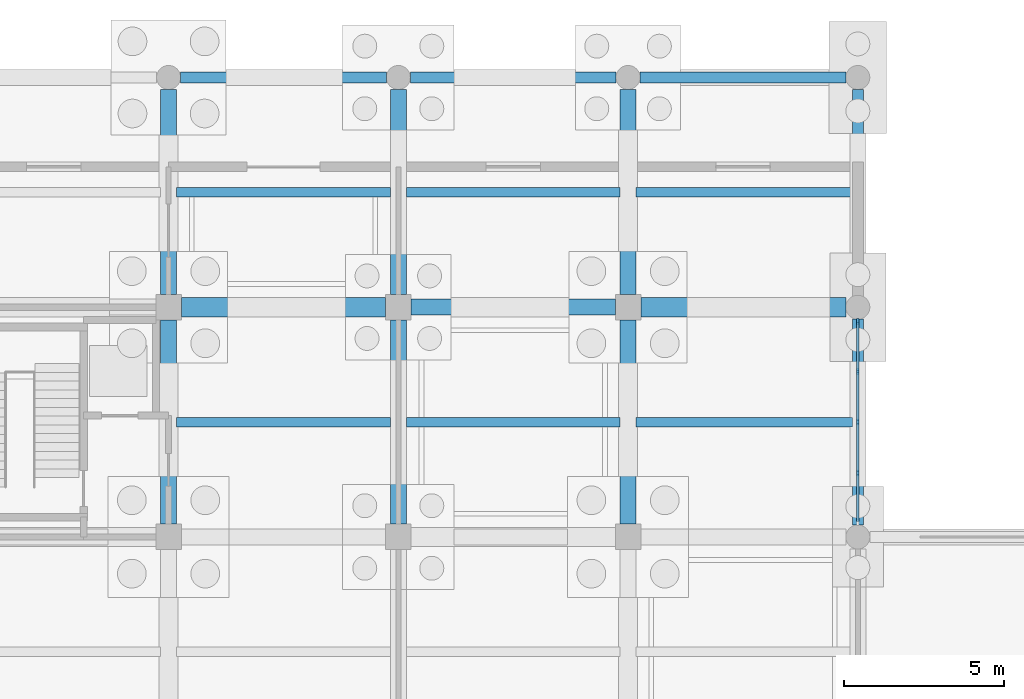
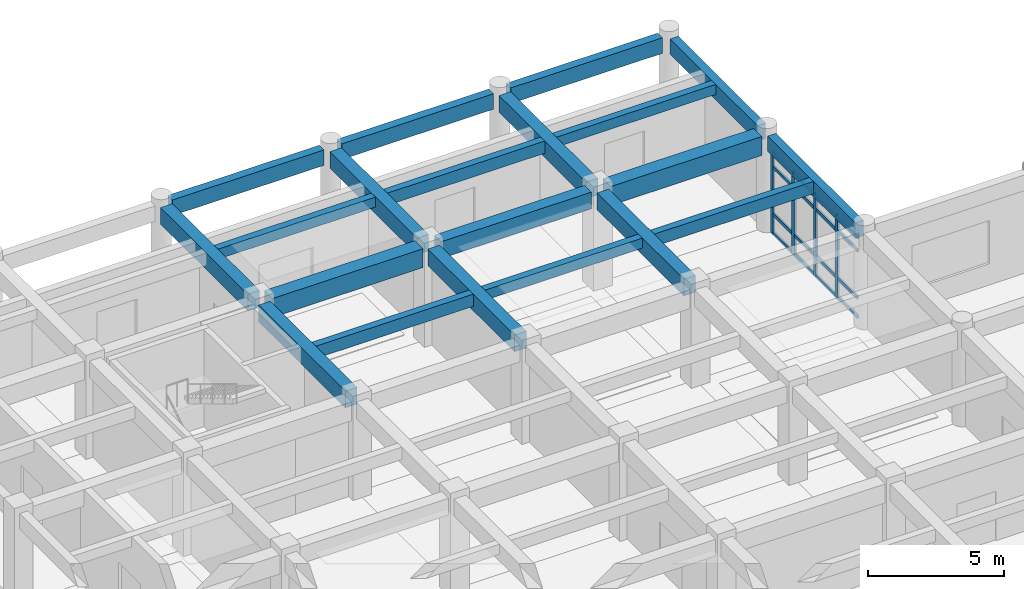
# One storey, part 40 of 79: 20 beams, 20 members, 1 element without a shape of its own.
"""IFC4 building model written with IfcOpenShell, lengths in metres."""

from ifc_helpers import new_model, si_unit, direction, frame, origin, origin_2d, place, context, subcontext, project, spatial, rectangle, extrude, material, layer, layer_set, material_profile, profile_set, type_object, element, aggregate, save


model = new_model("IFC4")

# Units and contexts
model_context = context("Model", 3, precision=1e-05, world=origin(), true_north=direction((0.0, 1.0)))
body_context = subcontext(model_context, "Body", "Model", "MODEL_VIEW")
ifc_project = project(units=[si_unit("LENGTHUNIT", "METRE"), si_unit("AREAUNIT", "SQUARE_METRE"), si_unit("VOLUMEUNIT", "CUBIC_METRE"), si_unit("PLANEANGLEUNIT", "RADIAN"), si_unit("MASSUNIT", "GRAM", prefix="KILO")], contexts=[model_context])

# Site, building, storey
site_placement = place(None, origin())
site = spatial("IfcSite", under=ifc_project, at=site_placement, CompositionType="ELEMENT")
building_placement = place(site_placement, origin())
building = spatial("IfcBuilding", under=site, at=building_placement, Name="Kavelor Marine Aquarium", CompositionType="ELEMENT")
storey_placement = place(building_placement, origin())
storey = spatial("IfcBuildingStorey", under=building, at=storey_placement, Name="L00", CompositionType="ELEMENT", Elevation=0.0)

# Beams
ifc_material_1 = material(Name="Concrete C40/50", Category="concrete")
ifc_material_profile_1 = material_profile(ifc_material_1, rectangle(XDim=0.60009765625, YDim=0.85009765625, at=origin_2d()), Name="RC-BM 600x850")
ifc_profile_set_1 = profile_set([ifc_material_profile_1], Name="Concrete C40/50")
beam_type_1 = type_object("IfcBeamType", Name="BM-B1", PredefinedType="BEAM", material=ifc_profile_set_1)
beam_1_placement = place(storey_placement, frame((133.199951171875, 103.60009765625, 3.955078125), z_axis=(1.0, 0.0, 0.0), x_axis=(0.0, 1.0, 0.0)))
element("IfcBeam", 1, at=beam_1_placement, inside=storey, type_object=beam_type_1, Name="bm:x:L00:L01:18_14", PredefinedType="BEAM", context=body_context, shape_type="SweptSolid", body=[
    extrude(rectangle(XDim=0.60009765625, YDim=0.85009765625, at=origin_2d()), origin(), (0.0, 0.0, 1.0), 6.400146484375),
])
beam_2_placement = place(storey_placement, frame((147.60009765625, 103.60009765625, 3.955078125), z_axis=(1.0, 0.0, 0.0), x_axis=(0.0, 1.0, 0.0)))
element("IfcBeam", 2, at=beam_2_placement, inside=storey, type_object=beam_type_1, Name="bm:x:L00:L01:20_14", PredefinedType="BEAM", context=body_context, shape_type="SweptSolid", body=[
    extrude(rectangle(XDim=0.60009765625, YDim=0.85009765625, at=origin_2d()), origin(), (0.0, 0.0, 1.0), 6.4248046875),
])
ifc_material_2 = material(Name="Concrete C40/50", Category="concrete")
ifc_material_profile_2 = material_profile(ifc_material_2, rectangle(XDim=0.5, YDim=0.75, at=origin_2d()), Name="RC-BM 500x750")
ifc_profile_set_2 = profile_set([ifc_material_profile_2], Name="Concrete C40/50")
beam_type_2 = type_object("IfcBeamType", Name="BM-B2", PredefinedType="BEAM", material=ifc_profile_set_2)
beam_3_placement = place(storey_placement, frame((140.39990234375, 103.60009765625, 4.0048828125), z_axis=(1.0, 0.0, 0.0), x_axis=(0.0, 1.0, 0.0)))
element("IfcBeam", 3, at=beam_3_placement, inside=storey, type_object=beam_type_2, Name="bm:x:L00:L01:19_14", PredefinedType="BEAM", context=body_context, shape_type="SweptSolid", body=[
    extrude(rectangle(XDim=0.5, YDim=0.75, at=origin_2d()), origin(), (0.0, 0.0, 1.0), 6.400146484375),
])
beam_4_placement = place(storey_placement, frame((132.800048828125, 96.800048828125, 4.0048828125), z_axis=(0.0, 1.0, 0.0), x_axis=(-1.0, 0.0, 0.0)))
element("IfcBeam", 4, at=beam_4_placement, inside=storey, type_object=beam_type_2, Name="bm:y:L00:L01:18_13", PredefinedType="BEAM", context=body_context, shape_type="SweptSolid", body=[
    extrude(rectangle(XDim=0.5, YDim=0.75, at=origin_2d()), origin(), (0.0, 0.0, 1.0), 6.39990234375),
])
beam_5_placement = place(storey_placement, frame((132.800048828125, 104.0, 4.0048828125), z_axis=(0.0, 1.0, 0.0), x_axis=(-1.0, 0.0, 0.0)))
element("IfcBeam", 5, at=beam_5_placement, inside=storey, type_object=beam_type_2, Name="bm:y:L00:L01:18_14", PredefinedType="BEAM", context=body_context, shape_type="SweptSolid", body=[
    extrude(rectangle(XDim=0.5, YDim=0.75, at=origin_2d()), origin(), (0.0, 0.0, 1.0), 6.425048828125),
])
beam_6_placement = place(storey_placement, frame((140.0, 96.800048828125, 4.0048828125), z_axis=(0.0, 1.0, 0.0), x_axis=(-1.0, 0.0, 0.0)))
element("IfcBeam", 6, at=beam_6_placement, inside=storey, type_object=beam_type_2, Name="bm:y:L00:L01:19_13", PredefinedType="BEAM", context=body_context, shape_type="SweptSolid", body=[
    extrude(rectangle(XDim=0.5, YDim=0.75, at=origin_2d()), origin(), (0.0, 0.0, 1.0), 6.39990234375),
])
beam_7_placement = place(storey_placement, frame((140.0, 104.0, 4.0048828125), z_axis=(0.0, 1.0, 0.0), x_axis=(-1.0, 0.0, 0.0)))
element("IfcBeam", 7, at=beam_7_placement, inside=storey, type_object=beam_type_2, Name="bm:y:L00:L01:19_14", PredefinedType="BEAM", context=body_context, shape_type="SweptSolid", body=[
    extrude(rectangle(XDim=0.5, YDim=0.75, at=origin_2d()), origin(), (0.0, 0.0, 1.0), 6.425048828125),
])
beam_8_placement = place(storey_placement, frame((147.199951171875, 96.800048828125, 4.0048828125), z_axis=(0.0, 1.0, 0.0), x_axis=(-1.0, 0.0, 0.0)))
element("IfcBeam", 8, at=beam_8_placement, inside=storey, type_object=beam_type_2, Name="bm:y:L00:L01:20_13", PredefinedType="BEAM", context=body_context, shape_type="SweptSolid", body=[
    extrude(rectangle(XDim=0.5, YDim=0.75, at=origin_2d()), origin(), (0.0, 0.0, 1.0), 6.39990234375),
])
beam_9_placement = place(storey_placement, frame((147.199951171875, 104.0, 4.0048828125), z_axis=(0.0, 1.0, 0.0), x_axis=(-1.0, 0.0, 0.0)))
element("IfcBeam", 9, at=beam_9_placement, inside=storey, type_object=beam_type_2, Name="bm:y:L00:L01:20_14", PredefinedType="BEAM", context=body_context, shape_type="SweptSolid", body=[
    extrude(rectangle(XDim=0.5, YDim=0.75, at=origin_2d()), origin(), (0.0, 0.0, 1.0), 6.425048828125),
])
ifc_material_3 = material(Name="Concrete C40/50", Category="concrete")
ifc_material_profile_3 = material_profile(ifc_material_3, rectangle(XDim=0.300048828125, YDim=0.449951171875, at=origin_2d()), Name="RC-JS 300x450")
ifc_profile_set_3 = profile_set([ifc_material_profile_3], Name="Concrete C40/50")
beam_type_3 = type_object("IfcBeamType", Name="BM-JS1", PredefinedType="JOIST", material=ifc_profile_set_3)
for number, where, z_axis, x_axis, name in (
    (10, (133.050048828125, 107.199951171875, 4.155029296875), (1.0, 0.0, 0.0), (0.0, 1.0, 0.0), "js:L00:L01:18_14"),
    (11, (140.25, 100.0, 4.155029296875), (1.0, 0.0, 0.0), (0.0, 1.0, 0.0), "js:L00:L01:19_13"),
):
    element("IfcBeam", number, at=place(storey_placement, frame(where, z_axis=z_axis, x_axis=x_axis)), inside=storey, type_object=beam_type_3, Name=name, PredefinedType="JOIST", context=body_context, shape_type="SweptSolid", body=[
        extrude(rectangle(XDim=0.300048828125, YDim=0.449951171875, at=origin_2d()), origin(), (0.0, 0.0, 1.0), 6.699951171875),
    ])
beam_10_placement = place(storey_placement, frame((147.449951171875, 107.199951171875, 4.155029296875), z_axis=(1.0, 0.0, 0.0), x_axis=(0.0, 1.0, 0.0)))
element("IfcBeam", 12, at=beam_10_placement, inside=storey, type_object=beam_type_3, Name="js:L00:L01:20_14", PredefinedType="JOIST", context=body_context, shape_type="SweptSolid", body=[
    extrude(rectangle(XDim=0.300048828125, YDim=0.449951171875, at=origin_2d()), origin(), (0.0, 0.0, 1.0), 6.775146484375),
])
ifc_material_4 = material(Name="Concrete C40/50", Category="concrete")
ifc_material_profile_4 = material_profile(ifc_material_4, rectangle(XDim=0.300048828125, YDim=0.550048828125, at=origin_2d()), Name="RC-JS 300x550")
ifc_profile_set_4 = profile_set([ifc_material_profile_4], Name="Concrete C40/50")
beam_type_4 = type_object("IfcBeamType", Name="BM-JS2", PredefinedType="JOIST", material=ifc_profile_set_4)
for number, where, z_axis, x_axis, name in (
    (13, (133.050048828125, 100.0, 4.10498046875), (1.0, 0.0, 0.0), (0.0, 1.0, 0.0), "js:L00:L01:18_13"),
    (14, (140.25, 107.199951171875, 4.10498046875), (1.0, 0.0, 0.0), (0.0, 1.0, 0.0), "js:L00:L01:19_14"),
):
    element("IfcBeam", number, at=place(storey_placement, frame(where, z_axis=z_axis, x_axis=x_axis)), inside=storey, type_object=beam_type_4, Name=name, PredefinedType="JOIST", context=body_context, shape_type="SweptSolid", body=[
        extrude(rectangle(XDim=0.300048828125, YDim=0.550048828125, at=origin_2d()), origin(), (0.0, 0.0, 1.0), 6.699951171875),
    ])
beam_11_placement = place(storey_placement, frame((147.449951171875, 100.0, 4.10498046875), z_axis=(1.0, 0.0, 0.0), x_axis=(0.0, 1.0, 0.0)))
element("IfcBeam", 15, at=beam_11_placement, inside=storey, type_object=beam_type_4, Name="js:L00:L01:20_13", PredefinedType="JOIST", context=body_context, shape_type="SweptSolid", body=[
    extrude(rectangle(XDim=0.300048828125, YDim=0.550048828125, at=origin_2d()), origin(), (0.0, 0.0, 1.0), 6.775146484375),
])
ifc_material_5 = material(Name="Concrete C40/50", Category="concrete")
ifc_material_profile_5 = material_profile(ifc_material_5, rectangle(XDim=0.35009765625, YDim=0.699951171875, at=origin_2d()), Name="RC-SP 350x700")
ifc_profile_set_5 = profile_set([ifc_material_profile_5], Name="Concrete C40/50")
beam_type_5 = type_object("IfcBeamType", Name="BM-SP1", PredefinedType="SPANDREL", material=ifc_profile_set_5)
for number, where, z_axis, x_axis, name in (
    (16, (133.175048828125, 110.800048828125, 4.030029296875), (1.0, 0.0, 0.0), (0.0, 1.0, 0.0), "bm:x:L00:L01:18_15"),
    (17, (140.375, 110.800048828125, 4.030029296875), (1.0, 0.0, 0.0), (0.0, 1.0, 0.0), "bm:x:L00:L01:19_15"),
    (18, (147.574951171875, 110.800048828125, 4.030029296875), (1.0, 0.0, 0.0), (0.0, 1.0, 0.0), "bm:x:L00:L01:20_15"),
):
    element("IfcBeam", number, at=place(storey_placement, frame(where, z_axis=z_axis, x_axis=x_axis)), inside=storey, type_object=beam_type_5, Name=name, PredefinedType="SPANDREL", context=body_context, shape_type="SweptSolid", body=[
        extrude(rectangle(XDim=0.35009765625, YDim=0.699951171875, at=origin_2d()), origin(), (0.0, 0.0, 1.0), 6.449951171875),
    ])
beam_12_placement = place(storey_placement, frame((154.39990234375, 96.77490234375, 4.030029296875), z_axis=(0.0, 1.0, 0.0), x_axis=(-1.0, 0.0, 0.0)))
element("IfcBeam", 19, at=beam_12_placement, inside=storey, type_object=beam_type_5, Name="bm:y:L00:L01:21_13", PredefinedType="SPANDREL", context=body_context, shape_type="SweptSolid", body=[
    extrude(rectangle(XDim=0.35009765625, YDim=0.699951171875, at=origin_2d()), origin(), (0.0, 0.0, 1.0), 6.4501953125),
])
beam_13_placement = place(storey_placement, frame((154.39990234375, 103.97509765625, 4.030029296875), z_axis=(0.0, 1.0, 0.0), x_axis=(-1.0, 0.0, 0.0)))
element("IfcBeam", 20, at=beam_13_placement, inside=storey, type_object=beam_type_5, Name="bm:y:L00:L01:21_14", PredefinedType="SPANDREL", context=body_context, shape_type="SweptSolid", body=[
    extrude(rectangle(XDim=0.35009765625, YDim=0.699951171875, at=origin_2d()), origin(), (0.0, 0.0, 1.0), 6.449951171875),
])

# Curtain wall, members
ifc_material_6 = material(Name="Thermally Broken Aluminium and Low-E Glass", Category="aluminium")
ifc_layer = layer(ifc_material_6, 0.260009765625)
ifc_layer_set = layer_set([ifc_layer], Name="CW-SYS15")
curtain_wall_type = type_object("IfcCurtainWallType", Name="CW-SYS15", PredefinedType="USERDEFINED", material=ifc_layer_set)
curtain_wall_placement = place(storey_placement, origin())
curtain_wall = element("IfcCurtainWall", 21, at=curtain_wall_placement, inside=storey, type_object=curtain_wall_type, Name="cw:y:L00:21_13", ObjectType="Curtain Wall", PredefinedType="USERDEFINED")
ifc_material_7 = material(Name="Anodised Aluminium Alloy 6063-T6", Category="aluminium")
ifc_material_profile_6 = material_profile(ifc_material_7, rectangle(XDim=0.0849609375, YDim=0.18994140625, at=origin_2d()), Name="CW-MUL 85x190")
ifc_profile_set_6 = profile_set([ifc_material_profile_6], Name="Anodised Aluminium Alloy 6063-T6")
member_type_1 = type_object("IfcMemberType", Name="CWM-3", PredefinedType="MULLION", material=ifc_profile_set_6)
member_1_placement = place(storey_placement, frame((154.39990234375, 98.409912109375, 0.0), z_axis=(0.0, 0.0, 1.0), x_axis=(-1.0, 0.0, 0.0)))
member_1 = element("IfcMember", 22, at=member_1_placement, type_object=member_type_1, Name="CW15 mullion 2", PredefinedType="MULLION", context=body_context, shape_type="SweptSolid", body=[
    extrude(rectangle(XDim=0.0849609375, YDim=0.18994140625, at=origin_2d()), origin(), (0.0, 0.0, 1.0), 3.669921875),
])
member_2_placement = place(storey_placement, frame((154.39990234375, 100.0, 0.0), z_axis=(0.0, 0.0, 1.0), x_axis=(-1.0, 0.0, 0.0)))
member_2 = element("IfcMember", 23, at=member_2_placement, type_object=member_type_1, Name="CW15 mullion 3", PredefinedType="MULLION", context=body_context, shape_type="SweptSolid", body=[
    extrude(rectangle(XDim=0.0849609375, YDim=0.18994140625, at=origin_2d()), origin(), (0.0, 0.0, 1.0), 3.669921875),
])
member_3_placement = place(storey_placement, frame((154.39990234375, 101.590087890625, 0.0), z_axis=(0.0, 0.0, 1.0), x_axis=(-1.0, 0.0, 0.0)))
member_3 = element("IfcMember", 24, at=member_3_placement, type_object=member_type_1, Name="CW15 mullion 4", PredefinedType="MULLION", context=body_context, shape_type="SweptSolid", body=[
    extrude(rectangle(XDim=0.0849609375, YDim=0.18994140625, at=origin_2d()), origin(), (0.0, 0.0, 1.0), 3.669921875),
])
member_4_placement = place(storey_placement, frame((154.39990234375, 103.14990234375, 0.0), z_axis=(0.0, 0.0, 1.0), x_axis=(-1.0, 0.0, 0.0)))
member_4 = element("IfcMember", 25, at=member_4_placement, type_object=member_type_1, Name="CW15 mullion 5", PredefinedType="MULLION", context=body_context, shape_type="SweptSolid", body=[
    extrude(rectangle(XDim=0.0849609375, YDim=0.18994140625, at=origin_2d()), origin(), (0.0, 0.0, 1.0), 3.669921875),
])
ifc_material_8 = material(Name="Anodised Aluminium Alloy 6063-T6", Category="aluminium")
ifc_material_profile_7 = material_profile(ifc_material_8, rectangle(XDim=0.080078125, YDim=0.155029296875, at=origin_2d()), Name="CW-TRN 80x155")
ifc_profile_set_7 = profile_set([ifc_material_profile_7], Name="Anodised Aluminium Alloy 6063-T6")
member_type_2 = type_object("IfcMemberType", Name="CWT-2", PredefinedType="USERDEFINED", material=ifc_profile_set_7)
member_5_placement = place(storey_placement, frame((154.39990234375, 96.8798828125, 0.032470703125), z_axis=(0.0, 1.0, 0.0), x_axis=(-1.0, 0.0, 0.0)))
member_5 = element("IfcMember", 26, at=member_5_placement, type_object=member_type_2, Name="CW15 transom 1.1", ObjectType="TRANSOM", PredefinedType="USERDEFINED", context=body_context, shape_type="SweptSolid", body=[
    extrude(rectangle(XDim=0.080078125, YDim=0.155029296875, at=origin_2d()), origin(), (0.0, 0.0, 1.0), 1.5),
])
member_6_placement = place(storey_placement, frame((154.39990234375, 96.8798828125, 0.89990234375), z_axis=(0.0, 1.0, 0.0), x_axis=(-1.0, 0.0, 0.0)))
member_6 = element("IfcMember", 27, at=member_6_placement, type_object=member_type_2, Name="CW15 transom 1.2", ObjectType="TRANSOM", PredefinedType="USERDEFINED", context=body_context, shape_type="SweptSolid", body=[
    extrude(rectangle(XDim=0.080078125, YDim=0.155029296875, at=origin_2d()), origin(), (0.0, 0.0, 1.0), 1.5),
])
member_7_placement = place(storey_placement, frame((154.39990234375, 96.8798828125, 3.02001953125), z_axis=(0.0, 1.0, 0.0), x_axis=(-1.0, 0.0, 0.0)))
member_7 = element("IfcMember", 28, at=member_7_placement, type_object=member_type_2, Name="CW15 transom 1.3", ObjectType="TRANSOM", PredefinedType="USERDEFINED", context=body_context, shape_type="SweptSolid", body=[
    extrude(rectangle(XDim=0.080078125, YDim=0.155029296875, at=origin_2d()), origin(), (0.0, 0.0, 1.0), 1.5),
])
member_8_placement = place(storey_placement, frame((154.39990234375, 96.8798828125, 3.637451171875), z_axis=(0.0, 1.0, 0.0), x_axis=(-1.0, 0.0, 0.0)))
member_8 = element("IfcMember", 29, at=member_8_placement, type_object=member_type_2, Name="CW15 transom 1.4", ObjectType="TRANSOM", PredefinedType="USERDEFINED", context=body_context, shape_type="SweptSolid", body=[
    extrude(rectangle(XDim=0.080078125, YDim=0.155029296875, at=origin_2d()), origin(), (0.0, 0.0, 1.0), 1.5),
])
member_9_placement = place(storey_placement, frame((154.39990234375, 98.43994140625, 0.032470703125), z_axis=(0.0, 1.0, 0.0), x_axis=(-1.0, 0.0, 0.0)))
member_9 = element("IfcMember", 30, at=member_9_placement, type_object=member_type_2, Name="CW15 transom 2.1", ObjectType="TRANSOM", PredefinedType="USERDEFINED", context=body_context, shape_type="SweptSolid", body=[
    extrude(rectangle(XDim=0.080078125, YDim=0.155029296875, at=origin_2d()), origin(), (0.0, 0.0, 1.0), 1.530029296875),
])
member_10_placement = place(storey_placement, frame((154.39990234375, 98.43994140625, 0.89990234375), z_axis=(0.0, 1.0, 0.0), x_axis=(-1.0, 0.0, 0.0)))
member_10 = element("IfcMember", 31, at=member_10_placement, type_object=member_type_2, Name="CW15 transom 2.2", ObjectType="TRANSOM", PredefinedType="USERDEFINED", context=body_context, shape_type="SweptSolid", body=[
    extrude(rectangle(XDim=0.080078125, YDim=0.155029296875, at=origin_2d()), origin(), (0.0, 0.0, 1.0), 1.530029296875),
])
member_11_placement = place(storey_placement, frame((154.39990234375, 98.43994140625, 3.02001953125), z_axis=(0.0, 1.0, 0.0), x_axis=(-1.0, 0.0, 0.0)))
member_11 = element("IfcMember", 32, at=member_11_placement, type_object=member_type_2, Name="CW15 transom 2.3", ObjectType="TRANSOM", PredefinedType="USERDEFINED", context=body_context, shape_type="SweptSolid", body=[
    extrude(rectangle(XDim=0.080078125, YDim=0.155029296875, at=origin_2d()), origin(), (0.0, 0.0, 1.0), 1.530029296875),
])
member_12_placement = place(storey_placement, frame((154.39990234375, 98.43994140625, 3.637451171875), z_axis=(0.0, 1.0, 0.0), x_axis=(-1.0, 0.0, 0.0)))
member_12 = element("IfcMember", 33, at=member_12_placement, type_object=member_type_2, Name="CW15 transom 2.4", ObjectType="TRANSOM", PredefinedType="USERDEFINED", context=body_context, shape_type="SweptSolid", body=[
    extrude(rectangle(XDim=0.080078125, YDim=0.155029296875, at=origin_2d()), origin(), (0.0, 0.0, 1.0), 1.530029296875),
])
member_13_placement = place(storey_placement, frame((154.39990234375, 100.030029296875, 0.032470703125), z_axis=(0.0, 1.0, 0.0), x_axis=(-1.0, 0.0, 0.0)))
member_13 = element("IfcMember", 34, at=member_13_placement, type_object=member_type_2, Name="CW15 transom 3.1", ObjectType="TRANSOM", PredefinedType="USERDEFINED", context=body_context, shape_type="SweptSolid", body=[
    extrude(rectangle(XDim=0.080078125, YDim=0.155029296875, at=origin_2d()), origin(), (0.0, 0.0, 1.0), 1.530029296875),
])
member_14_placement = place(storey_placement, frame((154.39990234375, 100.030029296875, 0.89990234375), z_axis=(0.0, 1.0, 0.0), x_axis=(-1.0, 0.0, 0.0)))
member_14 = element("IfcMember", 35, at=member_14_placement, type_object=member_type_2, Name="CW15 transom 3.2", ObjectType="TRANSOM", PredefinedType="USERDEFINED", context=body_context, shape_type="SweptSolid", body=[
    extrude(rectangle(XDim=0.080078125, YDim=0.155029296875, at=origin_2d()), origin(), (0.0, 0.0, 1.0), 1.530029296875),
])
member_15_placement = place(storey_placement, frame((154.39990234375, 100.030029296875, 3.02001953125), z_axis=(0.0, 1.0, 0.0), x_axis=(-1.0, 0.0, 0.0)))
member_15 = element("IfcMember", 36, at=member_15_placement, type_object=member_type_2, Name="CW15 transom 3.3", ObjectType="TRANSOM", PredefinedType="USERDEFINED", context=body_context, shape_type="SweptSolid", body=[
    extrude(rectangle(XDim=0.080078125, YDim=0.155029296875, at=origin_2d()), origin(), (0.0, 0.0, 1.0), 1.530029296875),
])
member_16_placement = place(storey_placement, frame((154.39990234375, 100.030029296875, 3.637451171875), z_axis=(0.0, 1.0, 0.0), x_axis=(-1.0, 0.0, 0.0)))
member_16 = element("IfcMember", 37, at=member_16_placement, type_object=member_type_2, Name="CW15 transom 3.4", ObjectType="TRANSOM", PredefinedType="USERDEFINED", context=body_context, shape_type="SweptSolid", body=[
    extrude(rectangle(XDim=0.080078125, YDim=0.155029296875, at=origin_2d()), origin(), (0.0, 0.0, 1.0), 1.530029296875),
])
member_17_placement = place(storey_placement, frame((154.39990234375, 101.6201171875, 0.032470703125), z_axis=(0.0, 1.0, 0.0), x_axis=(-1.0, 0.0, 0.0)))
member_17 = element("IfcMember", 38, at=member_17_placement, type_object=member_type_2, Name="CW15 transom 4.1", ObjectType="TRANSOM", PredefinedType="USERDEFINED", context=body_context, shape_type="SweptSolid", body=[
    extrude(rectangle(XDim=0.080078125, YDim=0.155029296875, at=origin_2d()), origin(), (0.0, 0.0, 1.0), 1.5),
])
member_18_placement = place(storey_placement, frame((154.39990234375, 101.6201171875, 0.89990234375), z_axis=(0.0, 1.0, 0.0), x_axis=(-1.0, 0.0, 0.0)))
member_18 = element("IfcMember", 39, at=member_18_placement, type_object=member_type_2, Name="CW15 transom 4.2", ObjectType="TRANSOM", PredefinedType="USERDEFINED", context=body_context, shape_type="SweptSolid", body=[
    extrude(rectangle(XDim=0.080078125, YDim=0.155029296875, at=origin_2d()), origin(), (0.0, 0.0, 1.0), 1.5),
])
member_19_placement = place(storey_placement, frame((154.39990234375, 101.6201171875, 3.02001953125), z_axis=(0.0, 1.0, 0.0), x_axis=(-1.0, 0.0, 0.0)))
member_19 = element("IfcMember", 40, at=member_19_placement, type_object=member_type_2, Name="CW15 transom 4.3", ObjectType="TRANSOM", PredefinedType="USERDEFINED", context=body_context, shape_type="SweptSolid", body=[
    extrude(rectangle(XDim=0.080078125, YDim=0.155029296875, at=origin_2d()), origin(), (0.0, 0.0, 1.0), 1.5),
])
member_20_placement = place(storey_placement, frame((154.39990234375, 101.6201171875, 3.637451171875), z_axis=(0.0, 1.0, 0.0), x_axis=(-1.0, 0.0, 0.0)))
member_20 = element("IfcMember", 41, at=member_20_placement, type_object=member_type_2, Name="CW15 transom 4.4", ObjectType="TRANSOM", PredefinedType="USERDEFINED", context=body_context, shape_type="SweptSolid", body=[
    extrude(rectangle(XDim=0.080078125, YDim=0.155029296875, at=origin_2d()), origin(), (0.0, 0.0, 1.0), 1.5),
])
aggregate(curtain_wall, [member_1, member_2, member_3, member_4, member_5, member_6, member_7, member_8, member_9, member_10, member_11, member_12, member_13, member_14, member_15, member_16, member_17, member_18, member_19, member_20])

save(model, "model.ifc")
